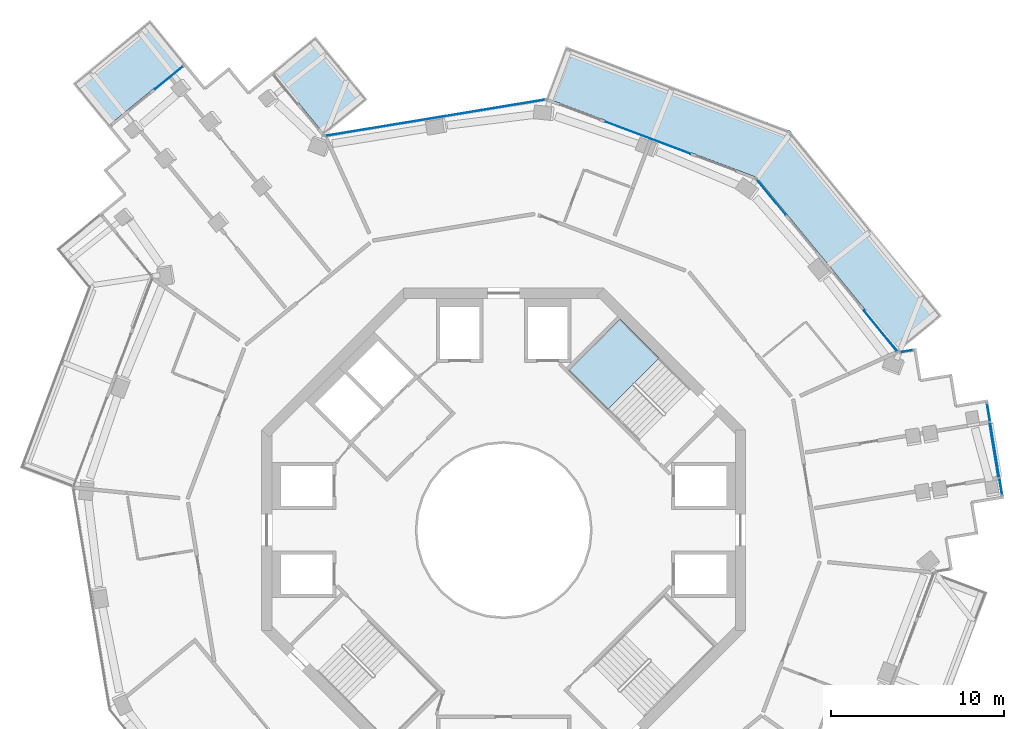
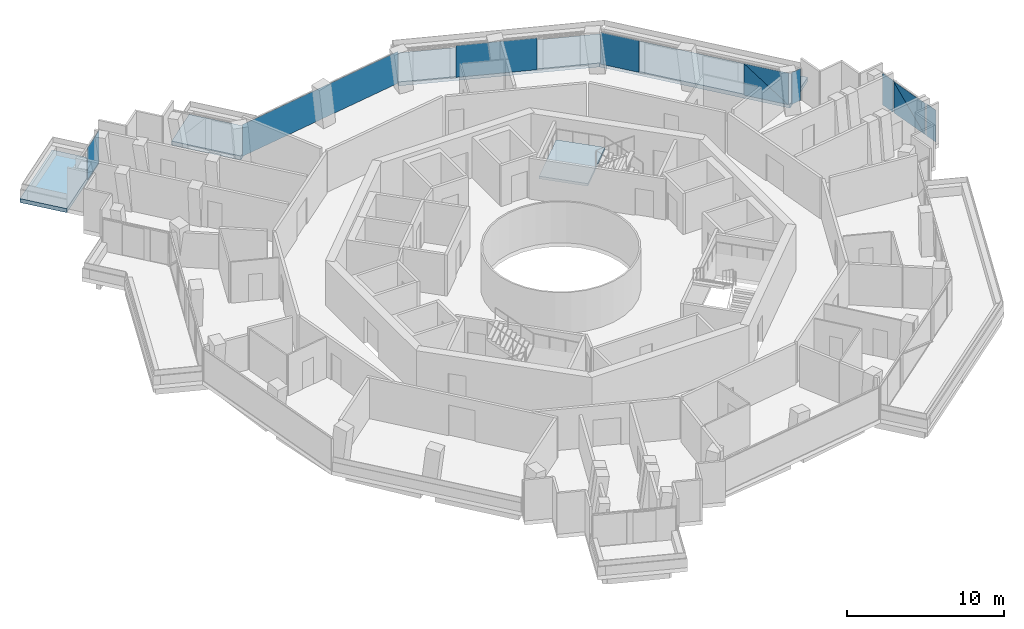
# One storey, part 13 of 21: 11 plates, 4 slabs, 7 elements without a shape of their own.
"""IFC4 building model written with IfcOpenShell, lengths in metres."""

from ifc_helpers import new_model, si_unit, direction, frame, origin, origin_2d, place, context, subcontext, project, spatial, polyline, rectangle, outline, extrude, material, layer, layer_set, type_object, element, aggregate, save


model = new_model("IFC4")

# Units and contexts
model_context = context("Model", 3, precision=1e-05, world=origin(), true_north=direction((0.0, 1.0)))
body_context = subcontext(model_context, "Body", "Model", "MODEL_VIEW")
ifc_project = project(units=[si_unit("LENGTHUNIT", "METRE"), si_unit("AREAUNIT", "SQUARE_METRE"), si_unit("VOLUMEUNIT", "CUBIC_METRE"), si_unit("PLANEANGLEUNIT", "RADIAN"), si_unit("MASSUNIT", "GRAM", prefix="KILO")], contexts=[model_context])

# Site, building, storey
site_placement = place(None, origin())
site = spatial("IfcSite", under=ifc_project, at=site_placement, CompositionType="ELEMENT")
building_placement = place(site_placement, origin())
building = spatial("IfcBuilding", under=site, at=building_placement, Name="Verdalira Terraces Hotel", CompositionType="ELEMENT")
storey_placement = place(building_placement, frame((0.0, 0.0, 194.0)))
storey = spatial("IfcBuildingStorey", under=building, at=storey_placement, Name="L47", CompositionType="ELEMENT", Elevation=194.0)

# Slabs
ifc_material_1 = material(Name="Precast concrete C40/50", Category="concrete")
ifc_layer_1 = layer(ifc_material_1, 0.31005859375)
ifc_layer_set_1 = layer_set([ifc_layer_1], Name="Balcony deck 310")
slab_type_1 = type_object("IfcSlabType", Name="Balcony deck 310", PredefinedType="FLOOR", material=ifc_layer_set_1)
slab_1_placement = place(storey_placement, frame((0.0, 0.0, -0.310059)))
element("IfcSlab", 1, at=slab_1_placement, inside=storey, type_object=slab_type_1, Name="Balcony deck", PredefinedType="FLOOR", context=body_context, shape_type="SweptSolid", body=[
    extrude(outline(polyline([(-24.942627, 25.836182), (-22.913086, 23.361816), (-18.428711, 27.040283), (-20.458252, 29.514404), (-24.942627, 25.836182)])), origin(), (0.0, 0.0, 1.0), 0.310059),
])
slab_2_placement = place(storey_placement, frame((0.0, 0.0, -0.310059)))
element("IfcSlab", 2, at=slab_2_placement, inside=storey, type_object=slab_type_1, Name="Balcony deck", PredefinedType="FLOOR", context=body_context, shape_type="SweptSolid", body=[
    extrude(outline(polyline([(3.596191, 27.987061), (2.468262, 24.992432), (14.633789, 20.410156), (22.878174, 10.358887), (25.352295, 12.388184), (16.564209, 23.102539), (3.596191, 27.987061)])), origin(), (0.0, 0.0, 1.0), 0.310059),
])
slab_3_placement = place(storey_placement, frame((0.0, 0.0, -0.310059)))
element("IfcSlab", 3, at=slab_3_placement, inside=storey, type_object=slab_type_1, Name="Balcony deck", PredefinedType="FLOOR", context=body_context, shape_type="SweptSolid", body=[
    extrude(outline(polyline([(-10.887939, 28.569336), (-13.362305, 26.539795), (-10.358887, 22.878174), (-7.884521, 24.907715), (-10.887939, 28.569336)])), origin(), (0.0, 0.0, 1.0), 0.310059),
])

# Curtain wall, plates
ifc_material_2 = material(Name="Clear glass", Category="glass")
ifc_layer_2 = layer(ifc_material_2, 0.14990234375)
ifc_layer_set_2 = layer_set([ifc_layer_2], Name="CW1 curtain wall")
curtain_wall_type_1 = type_object("IfcCurtainWallType", Name="CW1 curtain wall", PredefinedType="NOTDEFINED", material=ifc_layer_set_2)
curtain_wall_1_placement = place(storey_placement, origin())
curtain_wall_1 = element("IfcCurtainWall", 4, at=curtain_wall_1_placement, inside=storey, type_object=curtain_wall_type_1, Name="CW1 curtain wall L47 edge 39", PredefinedType="NOTDEFINED")
ifc_material_3 = material(Name="Clear glass", Category="glass")
ifc_layer_3 = layer(ifc_material_3, 0.028076171875)
ifc_layer_set_3 = layer_set([ifc_layer_3], Name="CW1 glass unit 28")
plate_type_1 = type_object("IfcPlateType", Name="CW1 glass unit 28", PredefinedType="CURTAIN_PANEL", material=ifc_layer_set_3)
plate_1_placement = place(storey_placement, frame((21.807373, 11.523926, 1.237549), z_axis=(0.773176511, 0.634190889, 0.0), x_axis=(-0.634190889, 0.773176511, 0.0)))
plate_1 = element("IfcPlate", 5, at=plate_1_placement, type_object=plate_type_1, Name="CW1 glass unit", PredefinedType="CURTAIN_PANEL", context=body_context, shape_type="SweptSolid", body=[
    extrude(outline(polyline([(-1.52002, -1.237549), (1.52002, -1.237549), (1.52002, 1.237549), (-1.52002, -1.237549)])), origin(), (0.0, 0.0, 1.0), 0.028076),
])
plate_2_placement = place(storey_placement, frame((21.784912, 11.505371, 1.237549), z_axis=(0.773176511, 0.634190889, 0.0), x_axis=(-0.634190889, 0.773176511, 0.0)))
plate_2 = element("IfcPlate", 6, at=plate_2_placement, type_object=plate_type_1, Name="CW1 glass unit", PredefinedType="CURTAIN_PANEL", context=body_context, shape_type="SweptSolid", body=[
    extrude(outline(polyline([(-1.52002, -1.237549), (1.52002, 1.237549), (-1.52002, 1.237549), (-1.52002, -1.237549)])), origin(), (0.0, 0.0, 1.0), 0.028076),
])
plate_3_placement = place(storey_placement, frame((15.47583, 19.264893, 0.0), z_axis=(0.0, 0.0, 1.0), x_axis=(-0.634190889, 0.773176511, 0.0)))
plate_3 = element("IfcPlate", 7, at=plate_3_placement, type_object=plate_type_1, Name="CW1 glass unit", PredefinedType="CURTAIN_PANEL", context=body_context, shape_type="SweptSolid", body=[
    extrude(rectangle(XDim=2.638428, YDim=0.028076, at=origin_2d()), origin(), (0.0, 0.0, 1.0), 2.475098),
])
aggregate(curtain_wall_1, [plate_1, plate_2, plate_3])

# Curtain wall, plate
curtain_wall_2_placement = place(storey_placement, origin())
curtain_wall_2 = element("IfcCurtainWall", 8, at=curtain_wall_2_placement, inside=storey, type_object=curtain_wall_type_1, Name="CW1 curtain wall L47 edge 40", PredefinedType="NOTDEFINED")
plate_4_placement = place(storey_placement, frame((8.356689, 22.694336, 0.0), z_axis=(0.0, 0.0, 1.0), x_axis=(-0.935813676, 0.352495055, 0.0)))
plate_4 = element("IfcPlate", 9, at=plate_4_placement, type_object=plate_type_1, Name="CW1 glass unit", PredefinedType="CURTAIN_PANEL", context=body_context, shape_type="SweptSolid", body=[
    extrude(rectangle(XDim=5.223633, YDim=0.028076, at=origin_2d()), origin(), (0.0, 0.0, 1.0), 2.475098),
])
aggregate(curtain_wall_2, [plate_4])

curtain_wall_3_placement = place(storey_placement, origin())
curtain_wall_3 = element("IfcCurtainWall", 10, at=curtain_wall_3_placement, inside=storey, type_object=curtain_wall_type_1, Name="CW1 curtain wall L47 edge 41", PredefinedType="NOTDEFINED")
plate_5_placement = place(storey_placement, frame((-3.952881, 23.858154, 0.0), z_axis=(0.0, 0.0, 1.0), x_axis=(-0.986685944, -0.162637165, 0.0)))
plate_5 = element("IfcPlate", 11, at=plate_5_placement, type_object=plate_type_1, Name="CW1 glass unit", PredefinedType="CURTAIN_PANEL", context=body_context, shape_type="SweptSolid", body=[
    extrude(rectangle(XDim=12.839844, YDim=0.028076, at=origin_2d()), origin(), (0.0, 0.0, 1.0), 2.475098),
])
aggregate(curtain_wall_3, [plate_5])

ifc_material_4 = material(Name="Clear glass", Category="glass")
ifc_layer_4 = layer(ifc_material_4, 0.14990234375)
ifc_layer_set_4 = layer_set([ifc_layer_4], Name="CW2 curtain wall")
curtain_wall_type_2 = type_object("IfcCurtainWallType", Name="CW2 curtain wall", PredefinedType="NOTDEFINED", material=ifc_layer_set_4)
curtain_wall_4_placement = place(storey_placement, origin())
curtain_wall_4 = element("IfcCurtainWall", 12, at=curtain_wall_4_placement, inside=storey, type_object=curtain_wall_type_2, Name="CW2 curtain wall L47 edge 38", PredefinedType="NOTDEFINED")
ifc_material_5 = material(Name="Clear glass", Category="glass")
ifc_layer_5 = layer(ifc_material_5, 0.031982421875)
ifc_layer_set_5 = layer_set([ifc_layer_5], Name="CW2 glass unit 32")
plate_type_2 = type_object("IfcPlateType", Name="CW2 glass unit 32", PredefinedType="CURTAIN_PANEL", material=ifc_layer_set_5)
plate_6_placement = place(storey_placement, frame((23.309814, 10.354004, 0.0), z_axis=(0.0, 0.0, 1.0), x_axis=(-0.986685944, -0.162637165, 0.0)))
plate_6 = element("IfcPlate", 13, at=plate_6_placement, type_object=plate_type_2, Name="CW2 glass unit", PredefinedType="CURTAIN_PANEL", context=body_context, shape_type="SweptSolid", body=[
    extrude(rectangle(XDim=0.709961, YDim=0.031982, at=origin_2d()), origin(), (0.0, 0.0, 1.0), 2.475098),
])
aggregate(curtain_wall_4, [plate_6])

ifc_material_6 = material(Name="Clear glass", Category="glass")
ifc_layer_6 = layer(ifc_material_6, 0.14990234375)
ifc_layer_set_6 = layer_set([ifc_layer_6], Name="CW3 curtain wall")
curtain_wall_type_3 = type_object("IfcCurtainWallType", Name="CW3 curtain wall", PredefinedType="NOTDEFINED", material=ifc_layer_set_6)
curtain_wall_5_placement = place(storey_placement, origin())
curtain_wall_5 = element("IfcCurtainWall", 14, at=curtain_wall_5_placement, inside=storey, type_object=curtain_wall_type_3, Name="CW3 curtain wall L47 edge 5", PredefinedType="NOTDEFINED")
ifc_material_7 = material(Name="Clear glass", Category="glass")
ifc_layer_7 = layer(ifc_material_7, 0.035888671875)
ifc_layer_set_7 = layer_set([ifc_layer_7], Name="CW3 glass unit 36")
plate_type_3 = type_object("IfcPlateType", Name="CW3 glass unit 36", PredefinedType="CURTAIN_PANEL", material=ifc_layer_set_7)
plate_7_placement = place(storey_placement, frame((-19.363037, 26.176758, 0.0), z_axis=(0.0, 0.0, 1.0), x_axis=(-0.773176511, -0.634190889, 0.0)))
plate_7 = element("IfcPlate", 15, at=plate_7_placement, type_object=plate_type_3, Name="CW3 glass unit", PredefinedType="CURTAIN_PANEL", context=body_context, shape_type="SweptSolid", body=[
    extrude(rectangle(XDim=2.080078, YDim=0.035889, at=origin_2d()), origin(), (0.0, 0.0, 1.0), 2.475098),
])
aggregate(curtain_wall_5, [plate_7])

# Curtain wall, plates
curtain_wall_6_placement = place(storey_placement, origin())
curtain_wall_6 = element("IfcCurtainWall", 16, at=curtain_wall_6_placement, inside=storey, type_object=curtain_wall_type_3, Name="CW3 curtain wall L47 edge 33", PredefinedType="NOTDEFINED")
plate_8_placement = place(storey_placement, frame((28.756836, 2.517578, 0.0), z_axis=(0.0, 0.0, 1.0), x_axis=(-0.162637165, 0.986685944, 0.0)))
plate_8 = element("IfcPlate", 17, at=plate_8_placement, type_object=plate_type_3, Name="CW3 glass unit", PredefinedType="CURTAIN_PANEL", context=body_context, shape_type="SweptSolid", body=[
    extrude(rectangle(XDim=0.954346, YDim=0.035889, at=origin_2d()), origin(), (0.0, 0.0, 1.0), 2.475098),
])
plate_9_placement = place(storey_placement, frame((28.389404, 4.635498, 1.237549), z_axis=(0.986685944, 0.162637165, 0.0), x_axis=(-0.162637165, 0.986685944, 0.0)))
plate_9 = element("IfcPlate", 18, at=plate_9_placement, type_object=plate_type_3, Name="CW3 glass unit", PredefinedType="CURTAIN_PANEL", context=body_context, shape_type="SweptSolid", body=[
    extrude(outline(polyline([(-1.592285, -1.237549), (1.592285, -1.237549), (1.592285, 1.237549), (-1.592285, -1.237549)])), origin(), (0.0, 0.0, 1.0), 0.035889),
])
plate_10_placement = place(storey_placement, frame((28.353027, 4.629395, 1.237549), z_axis=(0.986685944, 0.162637165, 0.0), x_axis=(-0.162637165, 0.986685944, 0.0)))
plate_10 = element("IfcPlate", 19, at=plate_10_placement, type_object=plate_type_3, Name="CW3 glass unit", PredefinedType="CURTAIN_PANEL", context=body_context, shape_type="SweptSolid", body=[
    extrude(outline(polyline([(-1.592285, -1.237549), (1.592285, 1.237549), (-1.592285, 1.237549), (-1.592285, -1.237549)])), origin(), (0.0, 0.0, 1.0), 0.035889),
])
plate_11_placement = place(storey_placement, frame((28.050537, 6.802002, 0.0), z_axis=(0.0, 0.0, 1.0), x_axis=(-0.162637165, 0.986685944, 0.0)))
plate_11 = element("IfcPlate", 20, at=plate_11_placement, type_object=plate_type_3, Name="CW3 glass unit", PredefinedType="CURTAIN_PANEL", context=body_context, shape_type="SweptSolid", body=[
    extrude(rectangle(XDim=1.041016, YDim=0.035889, at=origin_2d()), origin(), (0.0, 0.0, 1.0), 2.475098),
])
aggregate(curtain_wall_6, [plate_8, plate_9, plate_10, plate_11])

# Stair, slab
ifc_material_8 = material(Name="Concrete C40", Category="concrete")
stair_type = type_object("IfcStairType", Name="Core stair 20 risers 2050 mm wide", PredefinedType="HALF_TURN_STAIR", material=ifc_material_8)
stair_placement = place(storey_placement, origin())
stair = element("IfcStair", 21, at=stair_placement, inside=storey, type_object=stair_type, Name="L47 Exit stair ST1", PredefinedType="HALF_TURN_STAIR")
ifc_material_9 = material(Name="Concrete C40", Category="concrete")
ifc_layer_8 = layer(ifc_material_9, 0.199951171875)
ifc_layer_set_8 = layer_set([ifc_layer_8], Name="Core stair landing 200 mm")
slab_type_2 = type_object("IfcSlabType", Name="Core stair landing 200 mm", PredefinedType="LANDING", material=ifc_layer_set_8)
slab_4_placement = place(storey_placement, frame((0.0, 0.0, 1.550049)))
slab_4 = element("IfcSlab", 22, at=slab_4_placement, type_object=slab_type_2, Name="ST1 landing 1", PredefinedType="LANDING", context=body_context, shape_type="SweptSolid", body=[
    extrude(outline(polyline([(9.001709, 9.94873), (6.717529, 12.23291), (3.747559, 9.263184), (6.031982, 6.97876), (9.001709, 9.94873)])), origin(), (0.0, 0.0, 1.0), 0.199951),
])
aggregate(stair, [slab_4])

save(model, "model.ifc")
